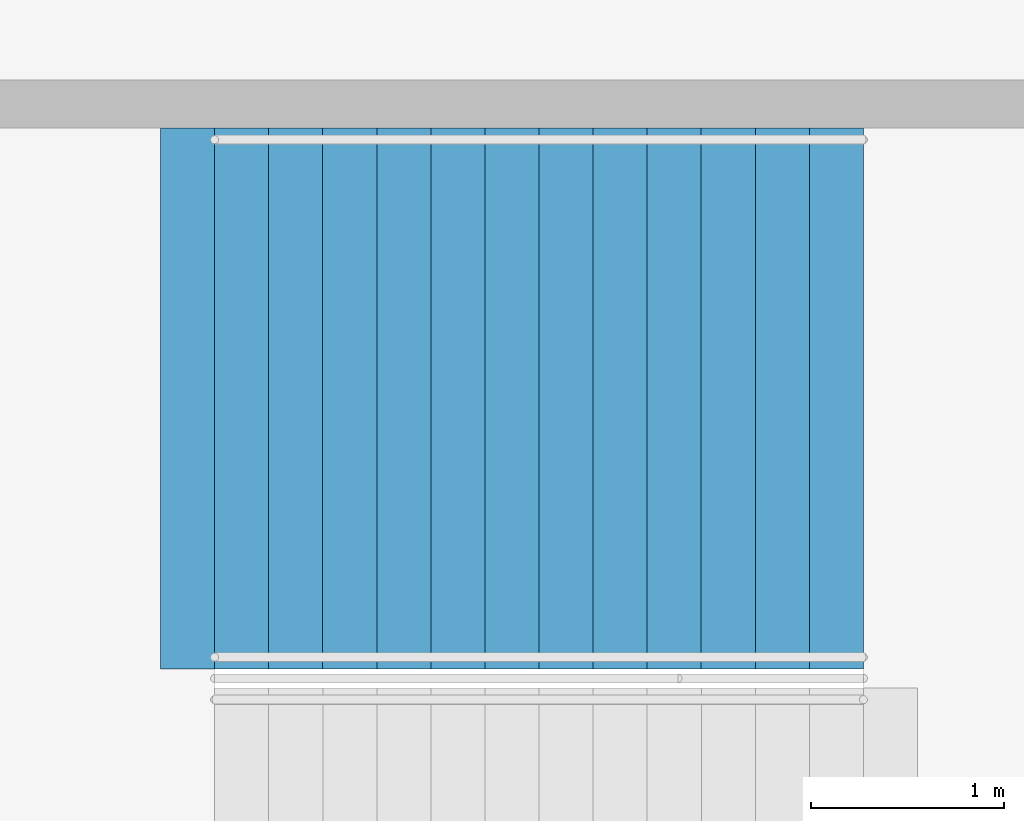
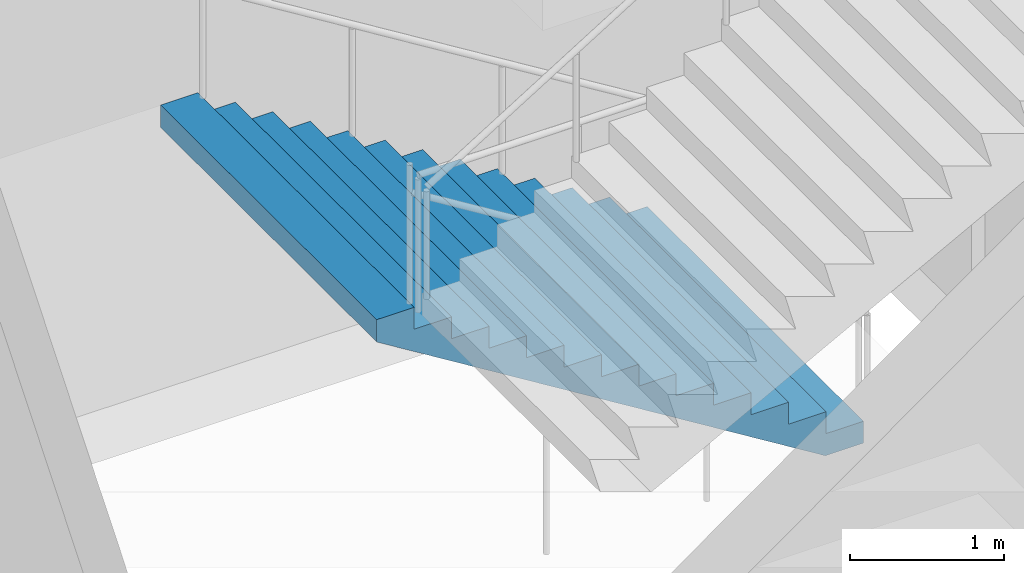
# One storey, part 193 of 249: 1 stair flight, 1 element without a shape of its own.
"""IFC4 building model written with IfcOpenShell, lengths in metres."""

from ifc_helpers import new_model, si_unit, direction, frame, origin, place, context, subcontext, project, spatial, faceted_brep, material, type_object, element, aggregate, save


model = new_model("IFC4")

# Units and contexts
model_context = context("Model", 3, precision=1e-05, world=origin(), true_north=direction((0.0, 1.0)))
body_context = subcontext(model_context, "Body", "Model", "MODEL_VIEW")
ifc_project = project(units=[si_unit("LENGTHUNIT", "METRE"), si_unit("AREAUNIT", "SQUARE_METRE"), si_unit("VOLUMEUNIT", "CUBIC_METRE"), si_unit("PLANEANGLEUNIT", "RADIAN"), si_unit("MASSUNIT", "GRAM", prefix="KILO")], contexts=[model_context])

# Site, building, storey
site_placement = place(None, origin())
site = spatial("IfcSite", under=ifc_project, at=site_placement, CompositionType="ELEMENT")
building_placement = place(site_placement, origin())
building = spatial("IfcBuilding", under=site, at=building_placement, Name="Ogive Plaza Stadium", CompositionType="ELEMENT")
storey_placement = place(building_placement, frame((0.0, 0.0, 13.5)))
storey = spatial("IfcBuildingStorey", under=building, at=storey_placement, Name="L03", CompositionType="ELEMENT", Elevation=13.5)

# Stair, stair flight
ifc_material_1 = material(Name="Concrete C40/50", Category="concrete")
stair_type = type_object("IfcStairType", Name="Exit stair", PredefinedType="STRAIGHT_RUN_STAIR", material=ifc_material_1)
stair_placement = place(storey_placement, origin())
stair = element("IfcStair", 1, at=stair_placement, inside=storey, type_object=stair_type, Name="Exit stair ST28A L03 to L04", PredefinedType="STRAIGHT_RUN_STAIR")
ifc_material_2 = material(Name="Concrete C40/50", Category="concrete")
stair_flight_type = type_object("IfcStairFlightType", Name="Exit stair flight", PredefinedType="STRAIGHT", material=ifc_material_2)
stair_flight_placement = place(storey_placement, frame((-76.35009765625, 56.925048828125, 0.0), z_axis=(0.0, 0.0, 1.0), x_axis=(-1.0, 0.0, 0.0)))
stair_flight = element("IfcStairFlight", 2, at=stair_flight_placement, type_object=stair_flight_type, Name="ST28A flight 1", NumberOfRisers=13, NumberOfTreads=12, PredefinedType="STRAIGHT", RiserHeight=0.173076923, TreadLength=0.28, context=body_context, shape_type="Brep", body=[
    faceted_brep([(0.28515625, -1.39990234375, 0.0), (3.639892578125, -1.39990234375, 2.07373046875), (3.639892578125, -1.39990234375, 2.25), (3.360107421875, -1.39990234375, 2.25), (3.360107421875, -1.39990234375, 2.076904296875), (3.080078125, -1.39990234375, 2.076904296875), (3.080078125, -1.39990234375, 1.90380859375), (2.800048828125, -1.39990234375, 1.90380859375), (2.800048828125, -1.39990234375, 1.730712890625), (2.52001953125, -1.39990234375, 1.730712890625), (2.52001953125, -1.39990234375, 1.5576171875), (2.239990234375, -1.39990234375, 1.5576171875), (2.239990234375, -1.39990234375, 1.384521484375), (1.9599609375, -1.39990234375, 1.384521484375), (1.9599609375, -1.39990234375, 1.21142578125), (1.679931640625, -1.39990234375, 1.21142578125), (1.679931640625, -1.39990234375, 1.03857421875), (1.39990234375, -1.39990234375, 1.03857421875), (1.39990234375, -1.39990234375, 0.865478515625), (1.1201171875, -1.39990234375, 0.865478515625), (1.1201171875, -1.39990234375, 0.6923828125), (0.840087890625, -1.39990234375, 0.6923828125), (0.840087890625, -1.39990234375, 0.519287109375), (0.56005859375, -1.39990234375, 0.519287109375), (0.56005859375, -1.39990234375, 0.34619140625), (0.280029296875, -1.39990234375, 0.34619140625), (0.280029296875, -1.39990234375, 0.173095703125), (0.0, -1.39990234375, 0.173095703125), (0.0, -1.39990234375, 0.0), (0.0, 1.39990234375, 0.0), (0.0, 1.39990234375, 0.173095703125), (0.280029296875, 1.39990234375, 0.173095703125), (0.280029296875, 1.39990234375, 0.34619140625), (0.56005859375, 1.39990234375, 0.34619140625), (0.56005859375, 1.39990234375, 0.519287109375), (0.840087890625, 1.39990234375, 0.519287109375), (0.840087890625, 1.39990234375, 0.6923828125), (1.1201171875, 1.39990234375, 0.6923828125), (1.1201171875, 1.39990234375, 0.865478515625), (1.39990234375, 1.39990234375, 0.865478515625), (1.39990234375, 1.39990234375, 1.03857421875), (1.679931640625, 1.39990234375, 1.03857421875), (1.679931640625, 1.39990234375, 1.21142578125), (1.9599609375, 1.39990234375, 1.21142578125), (1.9599609375, 1.39990234375, 1.384521484375), (2.239990234375, 1.39990234375, 1.384521484375), (2.239990234375, 1.39990234375, 1.5576171875), (2.52001953125, 1.39990234375, 1.5576171875), (2.52001953125, 1.39990234375, 1.730712890625), (2.800048828125, 1.39990234375, 1.730712890625), (2.800048828125, 1.39990234375, 1.90380859375), (3.080078125, 1.39990234375, 1.90380859375), (3.080078125, 1.39990234375, 2.076904296875), (3.360107421875, 1.39990234375, 2.076904296875), (3.360107421875, 1.39990234375, 2.25), (3.639892578125, 1.39990234375, 2.25), (3.639892578125, 1.39990234375, 2.07373046875), (0.28515625, 1.39990234375, 0.0), (0.28515625, -1.0888671875, 0.0), (3.639892578125, -1.0888671875, 2.07373046875), (0.28515625, -0.77783203125, 0.0), (3.639892578125, -0.77783203125, 2.07373046875), (0.28515625, -0.466796875, 0.0), (3.639892578125, -0.466796875, 2.07373046875), (0.28515625, -0.155517578125, 0.0), (3.639892578125, -0.155517578125, 2.07373046875), (0.28515625, 0.155517578125, 0.0), (3.639892578125, 0.155517578125, 2.07373046875), (0.28515625, 0.466796875, 0.0), (3.639892578125, 0.466796875, 2.07373046875), (0.28515625, 0.77783203125, 0.0), (3.639892578125, 0.77783203125, 2.07373046875), (0.28515625, 1.0888671875, 0.0), (3.639892578125, 1.0888671875, 2.07373046875), (3.639892578125, -1.0888671875, 2.25), (3.639892578125, -0.77783203125, 2.25), (3.639892578125, -0.466796875, 2.25), (3.639892578125, -0.155517578125, 2.25), (3.639892578125, 0.155517578125, 2.25), (3.639892578125, 0.466796875, 2.25), (3.639892578125, 0.77783203125, 2.25), (3.639892578125, 1.0888671875, 2.25), (3.360107421875, -1.0888671875, 2.25), (3.360107421875, -0.77783203125, 2.25), (3.360107421875, -0.466796875, 2.25), (3.360107421875, -0.155517578125, 2.25), (3.360107421875, 0.155517578125, 2.25), (3.360107421875, 0.466796875, 2.25), (3.360107421875, 0.77783203125, 2.25), (3.360107421875, 1.0888671875, 2.25), (3.360107421875, -1.0888671875, 2.076904296875), (3.360107421875, -0.77783203125, 2.076904296875), (3.360107421875, -0.466796875, 2.076904296875), (3.360107421875, -0.155517578125, 2.076904296875), (3.360107421875, 0.155517578125, 2.076904296875), (3.360107421875, 0.466796875, 2.076904296875), (3.360107421875, 0.77783203125, 2.076904296875), (3.360107421875, 1.0888671875, 2.076904296875), (3.080078125, -1.0888671875, 2.076904296875), (3.080078125, -0.77783203125, 2.076904296875), (3.080078125, -0.466796875, 2.076904296875), (3.080078125, -0.155517578125, 2.076904296875), (3.080078125, 0.155517578125, 2.076904296875), (3.080078125, 0.466796875, 2.076904296875), (3.080078125, 0.77783203125, 2.076904296875), (3.080078125, 1.0888671875, 2.076904296875), (3.080078125, -1.0888671875, 1.90380859375), (3.080078125, -0.77783203125, 1.90380859375), (3.080078125, -0.466796875, 1.90380859375), (3.080078125, -0.155517578125, 1.90380859375), (3.080078125, 0.155517578125, 1.90380859375), (3.080078125, 0.466796875, 1.90380859375), (3.080078125, 0.77783203125, 1.90380859375), (3.080078125, 1.0888671875, 1.90380859375), (2.800048828125, -1.0888671875, 1.90380859375), (2.800048828125, -0.77783203125, 1.90380859375), (2.800048828125, -0.466796875, 1.90380859375), (2.800048828125, -0.155517578125, 1.90380859375), (2.800048828125, 0.155517578125, 1.90380859375), (2.800048828125, 0.466796875, 1.90380859375), (2.800048828125, 0.77783203125, 1.90380859375), (2.800048828125, 1.0888671875, 1.90380859375), (2.800048828125, -1.0888671875, 1.730712890625), (2.800048828125, -0.77783203125, 1.730712890625), (2.800048828125, -0.466796875, 1.730712890625), (2.800048828125, -0.155517578125, 1.730712890625), (2.800048828125, 0.155517578125, 1.730712890625), (2.800048828125, 0.466796875, 1.730712890625), (2.800048828125, 0.77783203125, 1.730712890625), (2.800048828125, 1.0888671875, 1.730712890625), (2.52001953125, -1.0888671875, 1.730712890625), (2.52001953125, -0.77783203125, 1.730712890625), (2.52001953125, -0.466796875, 1.730712890625), (2.52001953125, -0.155517578125, 1.730712890625), (2.52001953125, 0.155517578125, 1.730712890625), (2.52001953125, 0.466796875, 1.730712890625), (2.52001953125, 0.77783203125, 1.730712890625), (2.52001953125, 1.0888671875, 1.730712890625), (2.52001953125, -1.0888671875, 1.5576171875), (2.52001953125, -0.77783203125, 1.5576171875), (2.52001953125, -0.466796875, 1.5576171875), (2.52001953125, -0.155517578125, 1.5576171875), (2.52001953125, 0.155517578125, 1.5576171875), (2.52001953125, 0.466796875, 1.5576171875), (2.52001953125, 0.77783203125, 1.5576171875), (2.52001953125, 1.0888671875, 1.5576171875), (2.239990234375, -1.0888671875, 1.5576171875), (2.239990234375, -0.77783203125, 1.5576171875), (2.239990234375, -0.466796875, 1.5576171875), (2.239990234375, -0.155517578125, 1.5576171875), (2.239990234375, 0.155517578125, 1.5576171875), (2.239990234375, 0.466796875, 1.5576171875), (2.239990234375, 0.77783203125, 1.5576171875), (2.239990234375, 1.0888671875, 1.5576171875), (2.239990234375, -1.0888671875, 1.384521484375), (2.239990234375, -0.77783203125, 1.384521484375), (2.239990234375, -0.466796875, 1.384521484375), (2.239990234375, -0.155517578125, 1.384521484375), (2.239990234375, 0.155517578125, 1.384521484375), (2.239990234375, 0.466796875, 1.384521484375), (2.239990234375, 0.77783203125, 1.384521484375), (2.239990234375, 1.0888671875, 1.384521484375), (1.9599609375, -1.0888671875, 1.384521484375), (1.9599609375, -0.77783203125, 1.384521484375), (1.9599609375, -0.466796875, 1.384521484375), (1.9599609375, -0.155517578125, 1.384521484375), (1.9599609375, 0.155517578125, 1.384521484375), (1.9599609375, 0.466796875, 1.384521484375), (1.9599609375, 0.77783203125, 1.384521484375), (1.9599609375, 1.0888671875, 1.384521484375), (1.9599609375, -1.0888671875, 1.21142578125), (1.9599609375, -0.77783203125, 1.21142578125), (1.9599609375, -0.466796875, 1.21142578125), (1.9599609375, -0.155517578125, 1.21142578125), (1.9599609375, 0.155517578125, 1.21142578125), (1.9599609375, 0.466796875, 1.21142578125), (1.9599609375, 0.77783203125, 1.21142578125), (1.9599609375, 1.0888671875, 1.21142578125), (1.679931640625, -1.0888671875, 1.21142578125), (1.679931640625, -0.77783203125, 1.21142578125), (1.679931640625, -0.466796875, 1.21142578125), (1.679931640625, -0.155517578125, 1.21142578125), (1.679931640625, 0.155517578125, 1.21142578125), (1.679931640625, 0.466796875, 1.21142578125), (1.679931640625, 0.77783203125, 1.21142578125), (1.679931640625, 1.0888671875, 1.21142578125), (1.679931640625, -1.0888671875, 1.03857421875), (1.679931640625, -0.77783203125, 1.03857421875), (1.679931640625, -0.466796875, 1.03857421875), (1.679931640625, -0.155517578125, 1.03857421875), (1.679931640625, 0.155517578125, 1.03857421875), (1.679931640625, 0.466796875, 1.03857421875), (1.679931640625, 0.77783203125, 1.03857421875), (1.679931640625, 1.0888671875, 1.03857421875), (1.39990234375, -1.0888671875, 1.03857421875), (1.39990234375, -0.77783203125, 1.03857421875), (1.39990234375, -0.466796875, 1.03857421875), (1.39990234375, -0.155517578125, 1.03857421875), (1.39990234375, 0.155517578125, 1.03857421875), (1.39990234375, 0.466796875, 1.03857421875), (1.39990234375, 0.77783203125, 1.03857421875), (1.39990234375, 1.0888671875, 1.03857421875), (1.39990234375, -1.0888671875, 0.865478515625), (1.39990234375, -0.77783203125, 0.865478515625), (1.39990234375, -0.466796875, 0.865478515625), (1.39990234375, -0.155517578125, 0.865478515625), (1.39990234375, 0.155517578125, 0.865478515625), (1.39990234375, 0.466796875, 0.865478515625), (1.39990234375, 0.77783203125, 0.865478515625), (1.39990234375, 1.0888671875, 0.865478515625), (1.1201171875, -1.0888671875, 0.865478515625), (1.1201171875, -0.77783203125, 0.865478515625), (1.1201171875, -0.466796875, 0.865478515625), (1.1201171875, -0.155517578125, 0.865478515625), (1.1201171875, 0.155517578125, 0.865478515625), (1.1201171875, 0.466796875, 0.865478515625), (1.1201171875, 0.77783203125, 0.865478515625), (1.1201171875, 1.0888671875, 0.865478515625), (1.1201171875, -1.0888671875, 0.6923828125), (1.1201171875, -0.77783203125, 0.6923828125), (1.1201171875, -0.466796875, 0.6923828125), (1.1201171875, -0.155517578125, 0.6923828125), (1.1201171875, 0.155517578125, 0.6923828125), (1.1201171875, 0.466796875, 0.6923828125), (1.1201171875, 0.77783203125, 0.6923828125), (1.1201171875, 1.0888671875, 0.6923828125), (0.840087890625, -1.0888671875, 0.6923828125), (0.840087890625, -0.77783203125, 0.6923828125), (0.840087890625, -0.466796875, 0.6923828125), (0.840087890625, -0.155517578125, 0.6923828125), (0.840087890625, 0.155517578125, 0.6923828125), (0.840087890625, 0.466796875, 0.6923828125), (0.840087890625, 0.77783203125, 0.6923828125), (0.840087890625, 1.0888671875, 0.6923828125), (0.840087890625, -1.0888671875, 0.519287109375), (0.840087890625, -0.77783203125, 0.519287109375), (0.840087890625, -0.466796875, 0.519287109375), (0.840087890625, -0.155517578125, 0.519287109375), (0.840087890625, 0.155517578125, 0.519287109375), (0.840087890625, 0.466796875, 0.519287109375), (0.840087890625, 0.77783203125, 0.519287109375), (0.840087890625, 1.0888671875, 0.519287109375), (0.56005859375, -1.0888671875, 0.519287109375), (0.56005859375, -0.77783203125, 0.519287109375), (0.56005859375, -0.466796875, 0.519287109375), (0.56005859375, -0.155517578125, 0.519287109375), (0.56005859375, 0.155517578125, 0.519287109375), (0.56005859375, 0.466796875, 0.519287109375), (0.56005859375, 0.77783203125, 0.519287109375), (0.56005859375, 1.0888671875, 0.519287109375), (0.56005859375, -1.0888671875, 0.34619140625), (0.56005859375, -0.77783203125, 0.34619140625), (0.56005859375, -0.466796875, 0.34619140625), (0.56005859375, -0.155517578125, 0.34619140625), (0.56005859375, 0.155517578125, 0.34619140625), (0.56005859375, 0.466796875, 0.34619140625), (0.56005859375, 0.77783203125, 0.34619140625), (0.56005859375, 1.0888671875, 0.34619140625), (0.280029296875, -1.0888671875, 0.34619140625), (0.280029296875, -0.77783203125, 0.34619140625), (0.280029296875, -0.466796875, 0.34619140625), (0.280029296875, -0.155517578125, 0.34619140625), (0.280029296875, 0.155517578125, 0.34619140625), (0.280029296875, 0.466796875, 0.34619140625), (0.280029296875, 0.77783203125, 0.34619140625), (0.280029296875, 1.0888671875, 0.34619140625), (0.280029296875, -1.0888671875, 0.173095703125), (0.280029296875, -0.77783203125, 0.173095703125), (0.280029296875, -0.466796875, 0.173095703125), (0.280029296875, -0.155517578125, 0.173095703125), (0.280029296875, 0.155517578125, 0.173095703125), (0.280029296875, 0.466796875, 0.173095703125), (0.280029296875, 0.77783203125, 0.173095703125), (0.280029296875, 1.0888671875, 0.173095703125), (0.0, -1.0888671875, 0.173095703125), (0.0, -0.77783203125, 0.173095703125), (0.0, -0.466796875, 0.173095703125), (0.0, -0.155517578125, 0.173095703125), (0.0, 0.155517578125, 0.173095703125), (0.0, 0.466796875, 0.173095703125), (0.0, 0.77783203125, 0.173095703125), (0.0, 1.0888671875, 0.173095703125), (0.0, -1.0888671875, 0.0), (0.0, -0.77783203125, 0.0), (0.0, -0.466796875, 0.0), (0.0, -0.155517578125, 0.0), (0.0, 0.155517578125, 0.0), (0.0, 0.466796875, 0.0), (0.0, 0.77783203125, 0.0), (0.0, 1.0888671875, 0.0)], [[[0, 1, 2, 3, 4, 5, 6, 7, 8, 9, 10, 11, 12, 13, 14, 15, 16, 17, 18, 19, 20, 21, 22, 23, 24, 25, 26, 27, 28]], [[29, 30, 31, 32, 33, 34, 35, 36, 37, 38, 39, 40, 41, 42, 43, 44, 45, 46, 47, 48, 49, 50, 51, 52, 53, 54, 55, 56, 57]], [[0, 58, 59, 1]], [[58, 60, 61, 59]], [[60, 62, 63, 61]], [[62, 64, 65, 63]], [[64, 66, 67, 65]], [[66, 68, 69, 67]], [[68, 70, 71, 69]], [[70, 72, 73, 71]], [[72, 57, 56, 73]], [[1, 59, 74, 2]], [[59, 61, 75, 74]], [[61, 63, 76, 75]], [[63, 65, 77, 76]], [[65, 67, 78, 77]], [[67, 69, 79, 78]], [[69, 71, 80, 79]], [[71, 73, 81, 80]], [[73, 56, 55, 81]], [[2, 74, 82, 3]], [[74, 75, 83, 82]], [[75, 76, 84, 83]], [[76, 77, 85, 84]], [[77, 78, 86, 85]], [[78, 79, 87, 86]], [[79, 80, 88, 87]], [[80, 81, 89, 88]], [[81, 55, 54, 89]], [[3, 82, 90, 4]], [[82, 83, 91, 90]], [[83, 84, 92, 91]], [[84, 85, 93, 92]], [[85, 86, 94, 93]], [[86, 87, 95, 94]], [[87, 88, 96, 95]], [[88, 89, 97, 96]], [[89, 54, 53, 97]], [[4, 90, 98, 5]], [[90, 91, 99, 98]], [[91, 92, 100, 99]], [[92, 93, 101, 100]], [[93, 94, 102, 101]], [[94, 95, 103, 102]], [[95, 96, 104, 103]], [[96, 97, 105, 104]], [[97, 53, 52, 105]], [[5, 98, 106, 6]], [[98, 99, 107, 106]], [[99, 100, 108, 107]], [[100, 101, 109, 108]], [[101, 102, 110, 109]], [[102, 103, 111, 110]], [[103, 104, 112, 111]], [[104, 105, 113, 112]], [[105, 52, 51, 113]], [[6, 106, 114, 7]], [[106, 107, 115, 114]], [[107, 108, 116, 115]], [[108, 109, 117, 116]], [[109, 110, 118, 117]], [[110, 111, 119, 118]], [[111, 112, 120, 119]], [[112, 113, 121, 120]], [[113, 51, 50, 121]], [[7, 114, 122, 8]], [[114, 115, 123, 122]], [[115, 116, 124, 123]], [[116, 117, 125, 124]], [[117, 118, 126, 125]], [[118, 119, 127, 126]], [[119, 120, 128, 127]], [[120, 121, 129, 128]], [[121, 50, 49, 129]], [[8, 122, 130, 9]], [[122, 123, 131, 130]], [[123, 124, 132, 131]], [[124, 125, 133, 132]], [[125, 126, 134, 133]], [[126, 127, 135, 134]], [[127, 128, 136, 135]], [[128, 129, 137, 136]], [[129, 49, 48, 137]], [[9, 130, 138, 10]], [[130, 131, 139, 138]], [[131, 132, 140, 139]], [[132, 133, 141, 140]], [[133, 134, 142, 141]], [[134, 135, 143, 142]], [[135, 136, 144, 143]], [[136, 137, 145, 144]], [[137, 48, 47, 145]], [[10, 138, 146, 11]], [[138, 139, 147, 146]], [[139, 140, 148, 147]], [[140, 141, 149, 148]], [[141, 142, 150, 149]], [[142, 143, 151, 150]], [[143, 144, 152, 151]], [[144, 145, 153, 152]], [[145, 47, 46, 153]], [[11, 146, 154, 12]], [[146, 147, 155, 154]], [[147, 148, 156, 155]], [[148, 149, 157, 156]], [[149, 150, 158, 157]], [[150, 151, 159, 158]], [[151, 152, 160, 159]], [[152, 153, 161, 160]], [[153, 46, 45, 161]], [[12, 154, 162, 13]], [[154, 155, 163, 162]], [[155, 156, 164, 163]], [[156, 157, 165, 164]], [[157, 158, 166, 165]], [[158, 159, 167, 166]], [[159, 160, 168, 167]], [[160, 161, 169, 168]], [[161, 45, 44, 169]], [[13, 162, 170, 14]], [[162, 163, 171, 170]], [[163, 164, 172, 171]], [[164, 165, 173, 172]], [[165, 166, 174, 173]], [[166, 167, 175, 174]], [[167, 168, 176, 175]], [[168, 169, 177, 176]], [[169, 44, 43, 177]], [[14, 170, 178, 15]], [[170, 171, 179, 178]], [[171, 172, 180, 179]], [[172, 173, 181, 180]], [[173, 174, 182, 181]], [[174, 175, 183, 182]], [[175, 176, 184, 183]], [[176, 177, 185, 184]], [[177, 43, 42, 185]], [[15, 178, 186, 16]], [[178, 179, 187, 186]], [[179, 180, 188, 187]], [[180, 181, 189, 188]], [[181, 182, 190, 189]], [[182, 183, 191, 190]], [[183, 184, 192, 191]], [[184, 185, 193, 192]], [[185, 42, 41, 193]], [[16, 186, 194, 17]], [[186, 187, 195, 194]], [[187, 188, 196, 195]], [[188, 189, 197, 196]], [[189, 190, 198, 197]], [[190, 191, 199, 198]], [[191, 192, 200, 199]], [[192, 193, 201, 200]], [[193, 41, 40, 201]], [[17, 194, 202, 18]], [[194, 195, 203, 202]], [[195, 196, 204, 203]], [[196, 197, 205, 204]], [[197, 198, 206, 205]], [[198, 199, 207, 206]], [[199, 200, 208, 207]], [[200, 201, 209, 208]], [[201, 40, 39, 209]], [[18, 202, 210, 19]], [[202, 203, 211, 210]], [[203, 204, 212, 211]], [[204, 205, 213, 212]], [[205, 206, 214, 213]], [[206, 207, 215, 214]], [[207, 208, 216, 215]], [[208, 209, 217, 216]], [[209, 39, 38, 217]], [[19, 210, 218, 20]], [[210, 211, 219, 218]], [[211, 212, 220, 219]], [[212, 213, 221, 220]], [[213, 214, 222, 221]], [[214, 215, 223, 222]], [[215, 216, 224, 223]], [[216, 217, 225, 224]], [[217, 38, 37, 225]], [[20, 218, 226, 21]], [[218, 219, 227, 226]], [[219, 220, 228, 227]], [[220, 221, 229, 228]], [[221, 222, 230, 229]], [[222, 223, 231, 230]], [[223, 224, 232, 231]], [[224, 225, 233, 232]], [[225, 37, 36, 233]], [[21, 226, 234, 22]], [[226, 227, 235, 234]], [[227, 228, 236, 235]], [[228, 229, 237, 236]], [[229, 230, 238, 237]], [[230, 231, 239, 238]], [[231, 232, 240, 239]], [[232, 233, 241, 240]], [[233, 36, 35, 241]], [[22, 234, 242, 23]], [[234, 235, 243, 242]], [[235, 236, 244, 243]], [[236, 237, 245, 244]], [[237, 238, 246, 245]], [[238, 239, 247, 246]], [[239, 240, 248, 247]], [[240, 241, 249, 248]], [[241, 35, 34, 249]], [[23, 242, 250, 24]], [[242, 243, 251, 250]], [[243, 244, 252, 251]], [[244, 245, 253, 252]], [[245, 246, 254, 253]], [[246, 247, 255, 254]], [[247, 248, 256, 255]], [[248, 249, 257, 256]], [[249, 34, 33, 257]], [[24, 250, 258, 25]], [[250, 251, 259, 258]], [[251, 252, 260, 259]], [[252, 253, 261, 260]], [[253, 254, 262, 261]], [[254, 255, 263, 262]], [[255, 256, 264, 263]], [[256, 257, 265, 264]], [[257, 33, 32, 265]], [[25, 258, 266, 26]], [[258, 259, 267, 266]], [[259, 260, 268, 267]], [[260, 261, 269, 268]], [[261, 262, 270, 269]], [[262, 263, 271, 270]], [[263, 264, 272, 271]], [[264, 265, 273, 272]], [[265, 32, 31, 273]], [[26, 266, 274, 27]], [[266, 267, 275, 274]], [[267, 268, 276, 275]], [[268, 269, 277, 276]], [[269, 270, 278, 277]], [[270, 271, 279, 278]], [[271, 272, 280, 279]], [[272, 273, 281, 280]], [[273, 31, 30, 281]], [[27, 274, 282, 28]], [[274, 275, 283, 282]], [[275, 276, 284, 283]], [[276, 277, 285, 284]], [[277, 278, 286, 285]], [[278, 279, 287, 286]], [[279, 280, 288, 287]], [[280, 281, 289, 288]], [[281, 30, 29, 289]], [[28, 282, 58, 0]], [[282, 283, 60, 58]], [[283, 284, 62, 60]], [[284, 285, 64, 62]], [[285, 286, 66, 64]], [[286, 287, 68, 66]], [[287, 288, 70, 68]], [[288, 289, 72, 70]], [[289, 29, 57, 72]]]),
])
aggregate(stair, [stair_flight])

save(model, "model.ifc")
